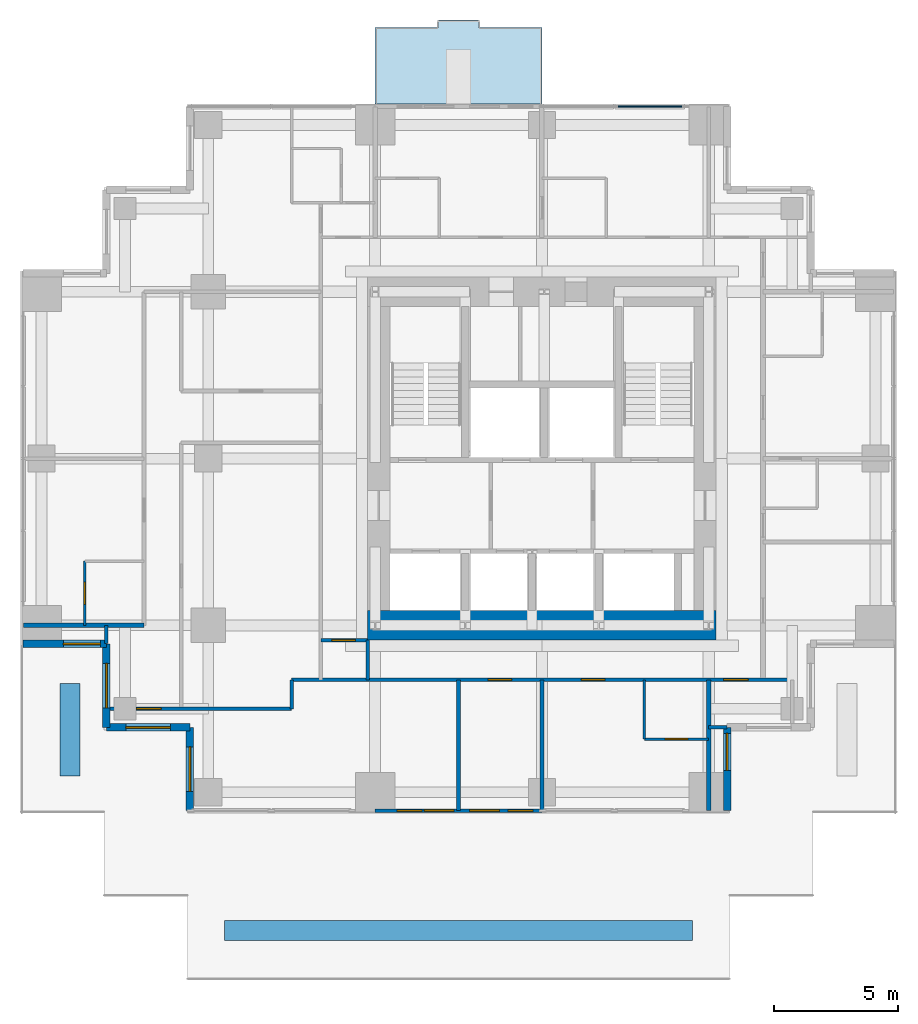
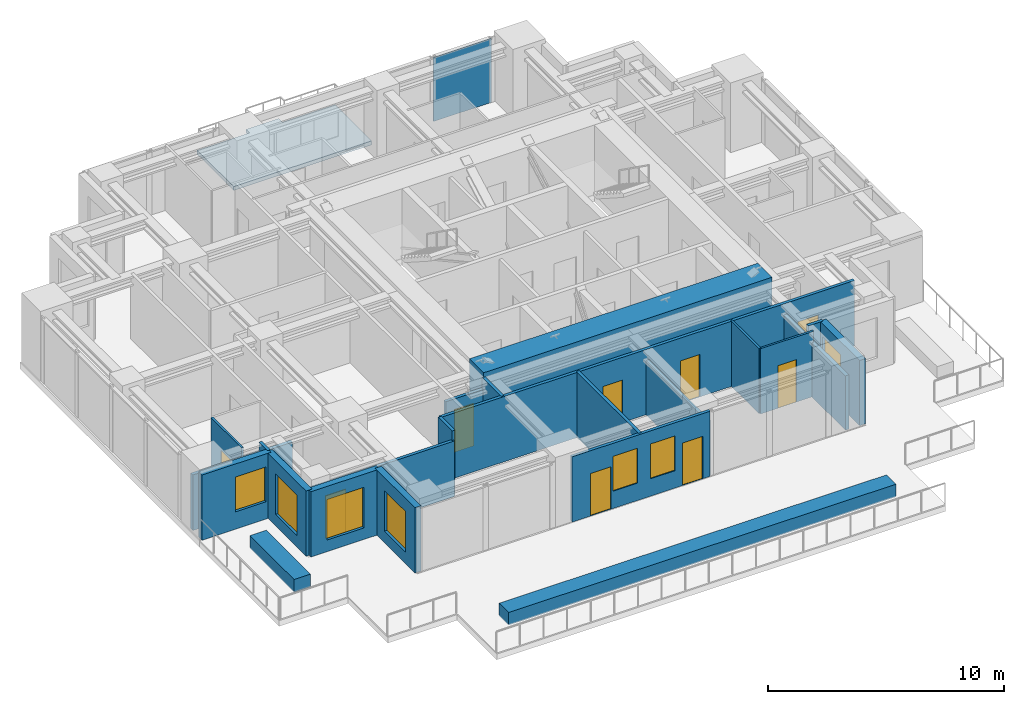
# One storey, part 3 of 7: 23 walls, 9 doors, 7 windows, 1 plate, 1 slab, 16 openings, 1 element without a shape of its own.
"""IFC4 building model written with IfcOpenShell, lengths in metres."""

from ifc_helpers import new_model, si_unit, direction, frame, frame_2d, origin, origin_2d, place, context, subcontext, project, spatial, polyline, rectangle, outline, extrude, material, layer, layer_set, type_object, element, fill, aggregate, save


model = new_model("IFC4")

# Units and contexts
model_context = context("Model", 3, precision=1e-05, world=origin(), true_north=direction((0.0, 1.0)))
body_context = subcontext(model_context, "Body", "Model", "MODEL_VIEW")
ifc_project = project(units=[si_unit("LENGTHUNIT", "METRE"), si_unit("AREAUNIT", "SQUARE_METRE"), si_unit("VOLUMEUNIT", "CUBIC_METRE"), si_unit("PLANEANGLEUNIT", "RADIAN"), si_unit("MASSUNIT", "GRAM", prefix="KILO")], contexts=[model_context])

# Site, building, storey
site_placement = place(None, origin())
site = spatial("IfcSite", under=ifc_project, at=site_placement, CompositionType="ELEMENT")
building_placement = place(site_placement, origin())
building = spatial("IfcBuilding", under=site, at=building_placement, Name="Nyansa Garden Tower", CompositionType="ELEMENT")
storey_placement = place(building_placement, frame((0.0, 0.0, 204.300048828125)))
storey = spatial("IfcBuildingStorey", under=building, at=storey_placement, Name="L55", CompositionType="ELEMENT", Elevation=204.300048828125)

# Slab
ifc_material_1 = material(Name="Concrete C40/50", Category="concrete")
ifc_layer_1 = layer(ifc_material_1, 0.199951171875)
ifc_layer_set_1 = layer_set([ifc_layer_1], Name="Balcony slab BS200")
slab_type = type_object("IfcSlabType", Name="Balcony slab BS200", PredefinedType="FLOOR", material=ifc_layer_set_1)
slab_placement = place(storey_placement, frame((0.0, 0.0, -0.239990234375)))
element("IfcSlab", 1, at=slab_placement, inside=storey, type_object=slab_type, Name="Balcony L55 N", PredefinedType="FLOOR", context=body_context, shape_type="SweptSolid", body=[
    extrude(outline(polyline([(13.5, 34.60009765625), (20.25, 34.60009765625), (20.25, 37.699951171875), (17.675048828125, 37.699951171875), (17.675048828125, 38.0), (16.074951171875, 38.0), (16.074951171875, 37.699951171875), (13.5, 37.699951171875), (13.5, 34.60009765625)])), origin(), (0.0, 0.0, 1.0), 0.199951171875),
])

# Curtain wall, plate
ifc_material_2 = material(Name="Black anodised aluminium, dark tinted double glazing", Category="aluminium")
curtain_wall_type = type_object("IfcCurtainWallType", Name="Inner skin curtain wall ISW-D", PredefinedType="USERDEFINED", material=ifc_material_2)
curtain_wall_placement = place(storey_placement, origin())
curtain_wall = element("IfcCurtainWall", 2, at=curtain_wall_placement, inside=storey, type_object=curtain_wall_type, Name="Inner skin curtain wall L55 N", ObjectType="UNITISED CURTAIN WALL", PredefinedType="USERDEFINED")
ifc_material_3 = material(Name="Dark tinted laminated double glazing", Category="glass")
ifc_layer_2 = layer(ifc_material_3, 0.0439453125)
ifc_layer_set_2 = layer_set([ifc_layer_2], Name="Dark tinted vision panel VP-D")
plate_type = type_object("IfcPlateType", Name="Dark tinted vision panel VP-D", PredefinedType="CURTAIN_PANEL", material=ifc_layer_set_2)
plate_placement = place(storey_placement, frame((24.6181640625, 34.5, 0.0), z_axis=(0.0, 0.0, 1.0), x_axis=(-1.0, 0.0, 0.0)))
plate = element("IfcPlate", 3, at=plate_placement, type_object=plate_type, Name="ISW-D panel 1", PredefinedType="CURTAIN_PANEL", context=body_context, shape_type="SweptSolid", body=[
    extrude(rectangle(XDim=2.81884765625, YDim=0.0439453125, at=origin_2d()), origin(), (0.0, 0.0, 1.0), 3.304931640625),
])
aggregate(curtain_wall, [plate])

# Walls
ifc_material_4 = material(Name="Dense blockwork, plastered both sides, 55 dB", Category="masonry")
ifc_layer_3 = layer(ifc_material_4, 0.175048828125)
ifc_layer_set_3 = layer_set([ifc_layer_3], Name="Acoustic party wall PW175")
wall_type_1 = type_object("IfcWallType", Name="Acoustic party wall PW175", PredefinedType="PARTITIONING", material=ifc_layer_set_3)
wall_1_placement = place(storey_placement, frame((-0.73388671875, 13.5, 0.0), z_axis=(0.0, 0.0, 1.0), x_axis=(1.0, 0.0, 0.0)))
element("IfcWall", 4, at=wall_1_placement, inside=storey, type_object=wall_type_1, Name="Party wall", PredefinedType="PARTITIONING", context=body_context, shape_type="SweptSolid", body=[
    extrude(rectangle(XDim=4.8837890625, YDim=0.175048828125, at=frame_2d((2.44189453125, 0.0))), origin(), (0.0, 0.0, 1.0), 2.876953125),
])
wall_2_placement = place(storey_placement, frame((27.0, 6.01611328125, 0.0), z_axis=(0.0, 0.0, 1.0), x_axis=(0.0, 1.0, 0.0)))
element("IfcWall", 5, at=wall_2_placement, inside=storey, type_object=wall_type_1, Name="Party wall", PredefinedType="PARTITIONING", context=body_context, shape_type="SweptSolid", body=[
    extrude(rectangle(XDim=5.283935546875, YDim=0.175048828125, at=frame_2d((2.64208984375, 0.0))), origin(), (0.0, 0.0, 1.0), 2.805908203125),
])

# Wall, openings, doors, windows
ifc_material_5 = material(Name="Black aluminium framed glazed screen", Category="aluminium")
ifc_layer_4 = layer(ifc_material_5, 0.14990234375)
ifc_layer_set_4 = layer_set([ifc_layer_4], Name="Balcony screen wall BW150")
wall_type_2 = type_object("IfcWallType", Name="Balcony screen wall BW150", PredefinedType="SOLIDWALL", material=ifc_layer_set_4)
wall_3_placement = place(storey_placement, frame((20.25, 6.0, 0.0), z_axis=(0.0, 0.0, 1.0), x_axis=(-1.0, 0.0, 0.0)))
wall_3 = element("IfcWall", 6, at=wall_3_placement, inside=storey, type_object=wall_type_2, Name="Glazed screen wall L55 S", PredefinedType="SOLIDWALL", context=body_context, shape_type="SweptSolid", body=[
    extrude(rectangle(XDim=6.75, YDim=0.14990234375, at=frame_2d((3.375, 0.0))), origin(), (0.0, 0.0, 1.0), 3.375),
])
opening_1_placement = place(wall_3_placement, frame((0.362548828125, 0.0, 0.0)))
opening_1 = element("IfcOpeningElement", 7, at=opening_1_placement, cuts=wall_3, Name="Opening D20", PredefinedType="OPENING", context=body_context, shape_type="SweptSolid", body=[
    extrude(rectangle(XDim=1.0, YDim=2.199951171875, at=frame_2d((0.5, 1.10009765625))), frame((0.0, 0.0849609375, 0.0), z_axis=(0.0, -1.0, 0.0), x_axis=(1.0, 0.0, 0.0)), (0.0, 0.0, 1.0), 0.169921875),
])
opening_2_placement = place(wall_3_placement, frame((1.72509765625, 0.0, 0.89990234375)))
opening_2 = element("IfcOpeningElement", 8, at=opening_2_placement, cuts=wall_3, Name="Opening W6", PredefinedType="OPENING", context=body_context, shape_type="SweptSolid", body=[
    extrude(rectangle(XDim=1.199951171875, YDim=1.800048828125, at=frame_2d((0.60009765625, 0.89990234375))), frame((0.0, 0.0849609375, 0.0), z_axis=(0.0, -1.0, 0.0), x_axis=(1.0, 0.0, 0.0)), (0.0, 0.0, 1.0), 0.169921875),
])
opening_3_placement = place(wall_3_placement, frame((4.854248046875, 0.0, 0.0)))
opening_3 = element("IfcOpeningElement", 9, at=opening_3_placement, cuts=wall_3, Name="Opening D20", PredefinedType="OPENING", context=body_context, shape_type="SweptSolid", body=[
    extrude(rectangle(XDim=1.0, YDim=2.199951171875, at=frame_2d((0.5, 1.10009765625))), frame((0.0, 0.0849609375, 0.0), z_axis=(0.0, -1.0, 0.0), x_axis=(1.0, 0.0, 0.0)), (0.0, 0.0, 1.0), 0.169921875),
])
opening_4_placement = place(wall_3_placement, frame((3.558349609375, 0.0, 0.89990234375)))
opening_4 = element("IfcOpeningElement", 10, at=opening_4_placement, cuts=wall_3, Name="Opening W6", PredefinedType="OPENING", context=body_context, shape_type="SweptSolid", body=[
    extrude(rectangle(XDim=1.199951171875, YDim=1.800048828125, at=frame_2d((0.60009765625, 0.89990234375))), frame((0.0, 0.0849609375, 0.0), z_axis=(0.0, -1.0, 0.0), x_axis=(1.0, 0.0, 0.0)), (0.0, 0.0, 1.0), 0.169921875),
])
ifc_material_6 = material(Name="Black aluminium framed glazed door", Category="aluminium")
door_type_1 = type_object("IfcDoorType", Name="Balcony door D20 1000x2200", OperationType="NOTDEFINED", PredefinedType="DOOR", material=ifc_material_6)
door_1_placement = place(opening_1_placement, origin())
door_1 = element("IfcDoor", 11, at=door_1_placement, inside=storey, type_object=door_type_1, Name="Roof maintenance door L55", OperationType="SINGLE_SWING_LEFT", OverallHeight=2.199951171875, OverallWidth=1.0, PredefinedType="DOOR", context=body_context, shape_type="SweptSolid", body=[
    extrude(rectangle(XDim=1.0, YDim=2.199951171875, at=frame_2d((0.5, 1.10009765625))), frame((0.0, 0.02490234375, 0.0), z_axis=(0.0, -1.0, 0.0), x_axis=(1.0, 0.0, 0.0)), (0.0, 0.0, 1.0), 0.050048828125),
])
fill(opening_1, door_1)
door_2_placement = place(opening_3_placement, origin())
door_2 = element("IfcDoor", 12, at=door_2_placement, inside=storey, type_object=door_type_1, Name="Roof maintenance door L55", OperationType="SINGLE_SWING_RIGHT", OverallHeight=2.199951171875, OverallWidth=1.0, PredefinedType="DOOR", context=body_context, shape_type="SweptSolid", body=[
    extrude(rectangle(XDim=1.0, YDim=2.199951171875, at=frame_2d((0.5, 1.10009765625))), frame((0.0, 0.02490234375, 0.0), z_axis=(0.0, -1.0, 0.0), x_axis=(1.0, 0.0, 0.0)), (0.0, 0.0, 1.0), 0.050048828125),
])
fill(opening_3, door_2)
ifc_material_7 = material(Name="Black aluminium frame, dark tinted double glazing", Category="aluminium")
window_type_1 = type_object("IfcWindowType", Name="Balcony window W6 1200x1800", PartitioningType="SINGLE_PANEL", PredefinedType="WINDOW", material=ifc_material_7)
window_1_placement = place(opening_2_placement, origin())
window_1 = element("IfcWindow", 13, at=window_1_placement, inside=storey, type_object=window_type_1, Name="Window L55", OverallHeight=1.800048828125, OverallWidth=1.199951171875, PartitioningType="SINGLE_PANEL", PredefinedType="WINDOW", context=body_context, shape_type="SweptSolid", body=[
    extrude(rectangle(XDim=1.199951171875, YDim=1.800048828125, at=frame_2d((0.60009765625, 0.89990234375))), frame((0.0, 0.030029296875, 0.0), z_axis=(0.0, -1.0, 0.0), x_axis=(1.0, 0.0, 0.0)), (0.0, 0.0, 1.0), 0.06005859375),
])
fill(opening_2, window_1)
window_2_placement = place(opening_4_placement, origin())
window_2 = element("IfcWindow", 14, at=window_2_placement, inside=storey, type_object=window_type_1, Name="Window L55", OverallHeight=1.800048828125, OverallWidth=1.199951171875, PartitioningType="SINGLE_PANEL", PredefinedType="WINDOW", context=body_context, shape_type="SweptSolid", body=[
    extrude(rectangle(XDim=1.199951171875, YDim=1.800048828125, at=frame_2d((0.60009765625, 0.89990234375))), frame((0.0, 0.030029296875, 0.0), z_axis=(0.0, -1.0, 0.0), x_axis=(1.0, 0.0, 0.0)), (0.0, 0.0, 1.0), 0.06005859375),
])
fill(opening_4, window_2)

# Walls
ifc_material_8 = material(Name="Concrete C80/95", Category="concrete")
ifc_layer_5 = layer(ifc_material_8, 1.199951171875)
ifc_layer_set_5 = layer_set([ifc_layer_5], Name="Core wall CW1200")
wall_type_3 = type_object("IfcWallType", Name="Core wall CW1200", PredefinedType="SHEAR", material=ifc_layer_set_5)
wall_4_placement = place(storey_placement, frame((13.199951171875, 13.5, 0.0), z_axis=(0.0, 0.0, 1.0), x_axis=(1.0, 0.0, 0.0)))
element("IfcWall", 15, at=wall_4_placement, inside=storey, type_object=wall_type_3, Name="Core wall S L55", PredefinedType="SHEAR", context=body_context, shape_type="SweptSolid", body=[
    extrude(rectangle(XDim=14.10009765625, YDim=1.199951171875, at=frame_2d((7.050048828125, 0.0))), origin(), (0.0, 0.0, 1.0), 3.599853515625),
])
ifc_material_9 = material(Name="Blockwork, plastered both sides", Category="masonry")
ifc_layer_6 = layer(ifc_material_9, 0.14990234375)
ifc_layer_set_6 = layer_set([ifc_layer_6], Name="Partition PW150")
wall_type_4 = type_object("IfcWallType", Name="Partition PW150", PredefinedType="PARTITIONING", material=ifc_layer_set_6)
wall_5_placement = place(storey_placement, frame((2.625, 12.76611328125, 0.0), z_axis=(0.0, 0.0, 1.0), x_axis=(0.0, 1.0, 0.0)))
element("IfcWall", 16, at=wall_5_placement, inside=storey, type_object=wall_type_4, Name="Partition", PredefinedType="PARTITIONING", context=body_context, shape_type="SweptSolid", body=[
    extrude(rectangle(XDim=0.73388671875, YDim=0.14990234375, at=frame_2d((0.366943359375, 0.0))), origin(), (0.0, 0.0, 1.0), 3.375),
])

# Wall, opening, door
wall_6_placement = place(storey_placement, frame((2.77490234375, 10.125, 0.0), z_axis=(0.0, 0.0, 1.0), x_axis=(1.0, 0.0, 0.0)))
wall_6 = element("IfcWall", 17, at=wall_6_placement, inside=storey, type_object=wall_type_4, Name="Partition", PredefinedType="PARTITIONING", context=body_context, shape_type="SweptSolid", body=[
    extrude(rectangle(XDim=7.35009765625, YDim=0.14990234375, at=frame_2d((3.675048828125, 0.0))), origin(), (0.0, 0.0, 1.0), 2.876953125),
])
opening_5_placement = place(wall_6_placement, frame((1.06591796875, 0.0, 0.0)))
opening_5 = element("IfcOpeningElement", 18, at=opening_5_placement, cuts=wall_6, Name="Opening D03", PredefinedType="OPENING", context=body_context, shape_type="SweptSolid", body=[
    extrude(rectangle(XDim=1.0, YDim=2.199951171875, at=frame_2d((0.5, 1.10009765625))), frame((0.0, 0.0849609375, 0.0), z_axis=(0.0, -1.0, 0.0), x_axis=(1.0, 0.0, 0.0)), (0.0, 0.0, 1.0), 0.169921875),
])
ifc_material_10 = material(Name="Timber flush door, 60 minute fire resisting", Category="wood")
door_type_2 = type_object("IfcDoorType", Name="Cluster entrance door D03 1000x2200", OperationType="SINGLE_SWING_LEFT", PredefinedType="DOOR", material=ifc_material_10)
door_3_placement = place(opening_5_placement, origin())
door_3 = element("IfcDoor", 19, at=door_3_placement, inside=storey, type_object=door_type_2, Name="Door L55-017", OperationType="SINGLE_SWING_LEFT", OverallHeight=2.199951171875, OverallWidth=1.0, PredefinedType="DOOR", context=body_context, shape_type="SweptSolid", body=[
    extrude(rectangle(XDim=1.0, YDim=2.199951171875, at=frame_2d((0.5, 1.10009765625))), frame((0.0, 0.02490234375, 0.0), z_axis=(0.0, -1.0, 0.0), x_axis=(1.0, 0.0, 0.0)), (0.0, 0.0, 1.0), 0.050048828125),
])
fill(opening_5, door_3)

# Wall
wall_7_placement = place(storey_placement, frame((10.125, 10.125, 0.0), z_axis=(0.0, 0.0, 1.0), x_axis=(0.0, 1.0, 0.0)))
element("IfcWall", 20, at=wall_7_placement, inside=storey, type_object=wall_type_4, Name="Partition", PredefinedType="PARTITIONING", context=body_context, shape_type="SweptSolid", body=[
    extrude(rectangle(XDim=1.175048828125, YDim=0.14990234375, at=frame_2d((0.58740234375, 0.0))), origin(), (0.0, 0.0, 1.0), 3.375),
])

# Wall, openings, doors
wall_8_placement = place(storey_placement, frame((10.125, 11.300048828125, 0.0), z_axis=(0.0, 0.0, 1.0), x_axis=(1.0, 0.0, 0.0)))
wall_8 = element("IfcWall", 21, at=wall_8_placement, inside=storey, type_object=wall_type_4, Name="Partition", PredefinedType="PARTITIONING", context=body_context, shape_type="SweptSolid", body=[
    extrude(rectangle(XDim=20.25, YDim=0.14990234375, at=frame_2d((10.125, 0.0))), origin(), (0.0, 0.0, 1.0), 3.375),
])
opening_6_placement = place(wall_8_placement, frame((11.72509765625, 0.0, 0.0)))
opening_6 = element("IfcOpeningElement", 22, at=opening_6_placement, cuts=wall_8, Name="Opening D14", PredefinedType="OPENING", context=body_context, shape_type="SweptSolid", body=[
    extrude(rectangle(XDim=0.949951171875, YDim=2.199951171875, at=frame_2d((0.47509765625, 1.10009765625))), frame((0.0, 0.0849609375, 0.0), z_axis=(0.0, -1.0, 0.0), x_axis=(1.0, 0.0, 0.0)), (0.0, 0.0, 1.0), 0.169921875),
])
opening_7_placement = place(wall_8_placement, frame((17.47509765625, 0.0, 0.0)))
opening_7 = element("IfcOpeningElement", 23, at=opening_7_placement, cuts=wall_8, Name="Opening D03", PredefinedType="OPENING", context=body_context, shape_type="SweptSolid", body=[
    extrude(rectangle(XDim=1.0, YDim=2.199951171875, at=frame_2d((0.5, 1.10009765625))), frame((0.0, 0.0849609375, 0.0), z_axis=(0.0, -1.0, 0.0), x_axis=(1.0, 0.0, 0.0)), (0.0, 0.0, 1.0), 0.169921875),
])
opening_8_placement = place(wall_8_placement, frame((7.949951171875, 0.0, 0.0)))
opening_8 = element("IfcOpeningElement", 24, at=opening_8_placement, cuts=wall_8, Name="Opening D01", PredefinedType="OPENING", context=body_context, shape_type="SweptSolid", body=[
    extrude(rectangle(XDim=0.949951171875, YDim=2.199951171875, at=frame_2d((0.47509765625, 1.10009765625))), frame((0.0, 0.0849609375, 0.0), z_axis=(0.0, -1.0, 0.0), x_axis=(1.0, 0.0, 0.0)), (0.0, 0.0, 1.0), 0.169921875),
])
ifc_material_11 = material(Name="Timber flush door, 30 minute fire resisting", Category="wood")
door_type_3 = type_object("IfcDoorType", Name="Bedroom door D01 950x2200", OperationType="SINGLE_SWING_LEFT", PredefinedType="DOOR", material=ifc_material_11)
door_4_placement = place(opening_8_placement, origin())
door_4 = element("IfcDoor", 25, at=door_4_placement, inside=storey, type_object=door_type_3, Name="Door L55-043", OperationType="SINGLE_SWING_LEFT", OverallHeight=2.199951171875, OverallWidth=0.949951171875, PredefinedType="DOOR", context=body_context, shape_type="SweptSolid", body=[
    extrude(rectangle(XDim=0.949951171875, YDim=2.199951171875, at=frame_2d((0.47509765625, 1.10009765625))), frame((0.0, 0.02490234375, 0.0), z_axis=(0.0, -1.0, 0.0), x_axis=(1.0, 0.0, 0.0)), (0.0, 0.0, 1.0), 0.050048828125),
])
fill(opening_8, door_4)
door_5_placement = place(opening_7_placement, origin())
door_5 = element("IfcDoor", 26, at=door_5_placement, inside=storey, type_object=door_type_2, Name="Door L55-022", OperationType="SINGLE_SWING_LEFT", OverallHeight=2.199951171875, OverallWidth=1.0, PredefinedType="DOOR", context=body_context, shape_type="SweptSolid", body=[
    extrude(rectangle(XDim=1.0, YDim=2.199951171875, at=frame_2d((0.5, 1.10009765625))), frame((0.0, 0.02490234375, 0.0), z_axis=(0.0, -1.0, 0.0), x_axis=(1.0, 0.0, 0.0)), (0.0, 0.0, 1.0), 0.050048828125),
])
fill(opening_7, door_5)
ifc_material_12 = material(Name="Timber flush door, 60 minute fire resisting, self-closing", Category="wood")
door_type_4 = type_object("IfcDoorType", Name="Studio entrance door D14 950x2200", OperationType="SINGLE_SWING_LEFT", PredefinedType="DOOR", material=ifc_material_12)
door_6_placement = place(opening_6_placement, origin())
door_6 = element("IfcDoor", 27, at=door_6_placement, inside=storey, type_object=door_type_4, Name="Door L55-018", OperationType="SINGLE_SWING_LEFT", OverallHeight=2.199951171875, OverallWidth=0.949951171875, PredefinedType="DOOR", context=body_context, shape_type="SweptSolid", body=[
    extrude(rectangle(XDim=0.949951171875, YDim=2.199951171875, at=frame_2d((0.47509765625, 1.10009765625))), frame((0.0, 0.02490234375, 0.0), z_axis=(0.0, -1.0, 0.0), x_axis=(1.0, 0.0, 0.0)), (0.0, 0.0, 1.0), 0.050048828125),
])
fill(opening_6, door_6)

# Wall, opening, door
wall_9_placement = place(storey_placement, frame((11.300048828125, 12.89990234375, 0.0), z_axis=(0.0, 0.0, 1.0), x_axis=(1.0, 0.0, 0.0)))
wall_9 = element("IfcWall", 28, at=wall_9_placement, inside=storey, type_object=wall_type_4, Name="Partition", PredefinedType="PARTITIONING", context=body_context, shape_type="SweptSolid", body=[
    extrude(rectangle(XDim=1.89990234375, YDim=0.14990234375, at=frame_2d((0.949951171875, 0.0))), origin(), (0.0, 0.0, 1.0), 2.805908203125),
])
opening_9_placement = place(wall_9_placement, frame((0.449951171875, 0.0, 0.0)))
opening_9 = element("IfcOpeningElement", 29, at=opening_9_placement, cuts=wall_9, Name="Opening D01", PredefinedType="OPENING", context=body_context, shape_type="SweptSolid", body=[
    extrude(rectangle(XDim=0.949951171875, YDim=2.199951171875, at=frame_2d((0.47509765625, 1.10009765625))), frame((0.0, 0.0849609375, 0.0), z_axis=(0.0, -1.0, 0.0), x_axis=(1.0, 0.0, 0.0)), (0.0, 0.0, 1.0), 0.169921875),
])
door_7_placement = place(opening_9_placement, origin())
door_7 = element("IfcDoor", 30, at=door_7_placement, inside=storey, type_object=door_type_3, Name="Door L55-016", OperationType="SINGLE_SWING_LEFT", OverallHeight=2.199951171875, OverallWidth=0.949951171875, PredefinedType="DOOR", context=body_context, shape_type="SweptSolid", body=[
    extrude(rectangle(XDim=0.949951171875, YDim=2.199951171875, at=frame_2d((0.47509765625, 1.10009765625))), frame((0.0, 0.02490234375, 0.0), z_axis=(0.0, -1.0, 0.0), x_axis=(1.0, 0.0, 0.0)), (0.0, 0.0, 1.0), 0.050048828125),
])
fill(opening_9, door_7)

# Walls
wall_10_placement = place(storey_placement, frame((13.199951171875, 11.300048828125, 0.0), z_axis=(0.0, 0.0, 1.0), x_axis=(0.0, 1.0, 0.0)))
element("IfcWall", 31, at=wall_10_placement, inside=storey, type_object=wall_type_4, Name="Partition", PredefinedType="PARTITIONING", context=body_context, shape_type="SweptSolid", body=[
    extrude(rectangle(XDim=1.599853515625, YDim=0.14990234375, at=frame_2d((0.7998046875, 0.0))), origin(), (0.0, 0.0, 1.0), 3.375),
])
wall_11_placement = place(storey_placement, frame((16.875, 6.01611328125, 0.0), z_axis=(0.0, 0.0, 1.0), x_axis=(0.0, 1.0, 0.0)))
element("IfcWall", 32, at=wall_11_placement, inside=storey, type_object=wall_type_4, Name="Partition", PredefinedType="PARTITIONING", context=body_context, shape_type="SweptSolid", body=[
    extrude(rectangle(XDim=5.283935546875, YDim=0.14990234375, at=frame_2d((2.64208984375, 0.0))), origin(), (0.0, 0.0, 1.0), 3.375),
])
wall_12_placement = place(storey_placement, frame((20.25, 6.01611328125, 0.0), z_axis=(0.0, 0.0, 1.0), x_axis=(0.0, 1.0, 0.0)))
element("IfcWall", 33, at=wall_12_placement, inside=storey, type_object=wall_type_4, Name="Partition", PredefinedType="PARTITIONING", context=body_context, shape_type="SweptSolid", body=[
    extrude(rectangle(XDim=5.283935546875, YDim=0.14990234375, at=frame_2d((2.64208984375, 0.0))), origin(), (0.0, 0.0, 1.0), 2.805908203125),
])
wall_13_placement = place(storey_placement, frame((27.0, 9.375, 0.0), z_axis=(0.0, 0.0, 1.0), x_axis=(1.0, 0.0, 0.0)))
element("IfcWall", 34, at=wall_13_placement, inside=storey, type_object=wall_type_4, Name="Partition", PredefinedType="PARTITIONING", context=body_context, shape_type="SweptSolid", body=[
    extrude(rectangle(XDim=0.73388671875, YDim=0.14990234375, at=frame_2d((0.366943359375, 0.0))), origin(), (0.0, 0.0, 1.0), 3.375),
])
ifc_material_13 = material(Name="Concrete C40/50 planter, waterproofed", Category="concrete")
ifc_layer_7 = layer(ifc_material_13, 0.800048828125)
ifc_layer_set_7 = layer_set([ifc_layer_7], Name="Terrace planter TP2")
wall_type_5 = type_object("IfcWallType", Name="Terrace planter TP2", PredefinedType="USERDEFINED", material=ifc_layer_set_7)
wall_14_placement = place(storey_placement, frame((26.35009765625, 1.14990234375, -0.06005859375), z_axis=(0.0, 0.0, 1.0), x_axis=(-1.0, 0.0, 0.0)))
element("IfcWall", 35, at=wall_14_placement, inside=storey, type_object=wall_type_5, Name="Terrace planter L55", ObjectType="TERRACE PLANTER", PredefinedType="USERDEFINED", context=body_context, shape_type="SweptSolid", body=[
    extrude(rectangle(XDim=18.9501953125, YDim=0.800048828125, at=frame_2d((9.47509765625, 0.0))), origin(), (0.0, 0.0, 1.0), 0.659912109375),
])
wall_15_placement = place(storey_placement, frame((1.14990234375, 7.39990234375, -0.06005859375), z_axis=(0.0, 0.0, 1.0), x_axis=(0.0, 1.0, 0.0)))
element("IfcWall", 36, at=wall_15_placement, inside=storey, type_object=wall_type_5, Name="Terrace planter L55", ObjectType="TERRACE PLANTER", PredefinedType="USERDEFINED", context=body_context, shape_type="SweptSolid", body=[
    extrude(rectangle(XDim=3.75, YDim=0.800048828125, at=frame_2d((1.875, 0.0))), origin(), (0.0, 0.0, 1.0), 0.659912109375),
])

# Wall, opening, window
ifc_material_14 = material(Name="Turquoise glazed tile on concrete blockwork", Category="masonry")
ifc_layer_8 = layer(ifc_material_14, 0.300048828125)
ifc_layer_set_8 = layer_set([ifc_layer_8], Name="Tiled corner wall TW300")
wall_type_6 = type_object("IfcWallType", Name="Tiled corner wall TW300", PredefinedType="SOLIDWALL", material=ifc_layer_set_8)
wall_16_placement = place(storey_placement, frame((-0.75, 12.75, 0.0), z_axis=(0.0, 0.0, 1.0), x_axis=(1.0, 0.0, 0.0)))
wall_16 = element("IfcWall", 37, at=wall_16_placement, inside=storey, type_object=wall_type_6, Name="Tiled corner wall L55", PredefinedType="SOLIDWALL", context=body_context, shape_type="SweptSolid", body=[
    extrude(rectangle(XDim=3.375, YDim=0.300048828125, at=frame_2d((1.6875, 0.0))), origin(), (0.0, 0.0, 1.0), 3.375),
])
opening_10_placement = place(wall_16_placement, frame((1.632568359375, 0.0, 0.89990234375)))
opening_10 = element("IfcOpeningElement", 38, at=opening_10_placement, cuts=wall_16, Name="Opening W1", PredefinedType="OPENING", context=body_context, shape_type="SweptSolid", body=[
    extrude(rectangle(XDim=1.5, YDim=1.800048828125, at=frame_2d((0.75, 0.89990234375))), frame((0.0, 0.159912109375, 0.0), z_axis=(0.0, -1.0, 0.0), x_axis=(1.0, 0.0, 0.0)), (0.0, 0.0, 1.0), 0.320068359375),
])
ifc_material_15 = material(Name="Black aluminium frame, dark tinted double glazing", Category="aluminium")
window_type_2 = type_object("IfcWindowType", Name="Window W1 1500x1800", PartitioningType="SINGLE_PANEL", PredefinedType="WINDOW", material=ifc_material_15)
window_3_placement = place(opening_10_placement, origin())
window_3 = element("IfcWindow", 39, at=window_3_placement, inside=storey, type_object=window_type_2, Name="Corner window L55", OverallHeight=1.800048828125, OverallWidth=1.5, PartitioningType="SINGLE_PANEL", PredefinedType="WINDOW", context=body_context, shape_type="SweptSolid", body=[
    extrude(rectangle(XDim=1.5, YDim=1.800048828125, at=frame_2d((0.75, 0.89990234375))), frame((0.0, 0.030029296875, 0.0), z_axis=(0.0, -1.0, 0.0), x_axis=(1.0, 0.0, 0.0)), (0.0, 0.0, 1.0), 0.06005859375),
])
fill(opening_10, window_3)

wall_17_placement = place(storey_placement, frame((2.625, 12.75, 0.0), z_axis=(0.0, 0.0, 1.0), x_axis=(0.0, -1.0, 0.0)))
wall_17 = element("IfcWall", 40, at=wall_17_placement, inside=storey, type_object=wall_type_6, Name="Tiled corner wall L55", PredefinedType="SOLIDWALL", context=body_context, shape_type="SweptSolid", body=[
    extrude(rectangle(XDim=3.375, YDim=0.300048828125, at=frame_2d((1.6875, 0.0))), origin(), (0.0, 0.0, 1.0), 3.375),
])
opening_11_placement = place(wall_17_placement, frame((0.78759765625, 0.0, 0.60009765625)))
opening_11 = element("IfcOpeningElement", 41, at=opening_11_placement, cuts=wall_17, Name="Opening W2", PredefinedType="OPENING", context=body_context, shape_type="SweptSolid", body=[
    extrude(rectangle(XDim=1.800048828125, YDim=2.10009765625, at=frame_2d((0.89990234375, 1.050048828125))), frame((0.0, 0.159912109375, 0.0), z_axis=(0.0, -1.0, 0.0), x_axis=(1.0, 0.0, 0.0)), (0.0, 0.0, 1.0), 0.320068359375),
])
ifc_material_16 = material(Name="Black aluminium frame, dark tinted double glazing", Category="aluminium")
window_type_3 = type_object("IfcWindowType", Name="Window W2 1800x2100", PartitioningType="SINGLE_PANEL", PredefinedType="WINDOW", material=ifc_material_16)
window_4_placement = place(opening_11_placement, origin())
window_4 = element("IfcWindow", 42, at=window_4_placement, inside=storey, type_object=window_type_3, Name="Corner window L55", OverallHeight=2.10009765625, OverallWidth=1.800048828125, PartitioningType="SINGLE_PANEL", PredefinedType="WINDOW", context=body_context, shape_type="SweptSolid", body=[
    extrude(rectangle(XDim=1.800048828125, YDim=2.10009765625, at=frame_2d((0.89990234375, 1.050048828125))), frame((0.0, 0.030029296875, 0.0), z_axis=(0.0, -1.0, 0.0), x_axis=(1.0, 0.0, 0.0)), (0.0, 0.0, 1.0), 0.06005859375),
])
fill(opening_11, window_4)

wall_18_placement = place(storey_placement, frame((2.625, 9.375, 0.0), z_axis=(0.0, 0.0, 1.0), x_axis=(1.0, 0.0, 0.0)))
wall_18 = element("IfcWall", 43, at=wall_18_placement, inside=storey, type_object=wall_type_6, Name="Tiled corner wall L55", PredefinedType="SOLIDWALL", context=body_context, shape_type="SweptSolid", body=[
    extrude(rectangle(XDim=3.375, YDim=0.300048828125, at=frame_2d((1.6875, 0.0))), origin(), (0.0, 0.0, 1.0), 3.375),
])
opening_12_placement = place(wall_18_placement, frame((0.78759765625, 0.0, 0.60009765625)))
opening_12 = element("IfcOpeningElement", 44, at=opening_12_placement, cuts=wall_18, Name="Opening W2", PredefinedType="OPENING", context=body_context, shape_type="SweptSolid", body=[
    extrude(rectangle(XDim=1.800048828125, YDim=2.10009765625, at=frame_2d((0.89990234375, 1.050048828125))), frame((0.0, 0.159912109375, 0.0), z_axis=(0.0, -1.0, 0.0), x_axis=(1.0, 0.0, 0.0)), (0.0, 0.0, 1.0), 0.320068359375),
])
window_5_placement = place(opening_12_placement, origin())
window_5 = element("IfcWindow", 45, at=window_5_placement, inside=storey, type_object=window_type_3, Name="Corner window L55", OverallHeight=2.10009765625, OverallWidth=1.800048828125, PartitioningType="SINGLE_PANEL", PredefinedType="WINDOW", context=body_context, shape_type="SweptSolid", body=[
    extrude(rectangle(XDim=1.800048828125, YDim=2.10009765625, at=frame_2d((0.89990234375, 1.050048828125))), frame((0.0, 0.030029296875, 0.0), z_axis=(0.0, -1.0, 0.0), x_axis=(1.0, 0.0, 0.0)), (0.0, 0.0, 1.0), 0.06005859375),
])
fill(opening_12, window_5)

wall_19_placement = place(storey_placement, frame((6.0, 9.375, 0.0), z_axis=(0.0, 0.0, 1.0), x_axis=(0.0, -1.0, 0.0)))
wall_19 = element("IfcWall", 46, at=wall_19_placement, inside=storey, type_object=wall_type_6, Name="Tiled corner wall L55", PredefinedType="SOLIDWALL", context=body_context, shape_type="SweptSolid", body=[
    extrude(rectangle(XDim=3.375, YDim=0.300048828125, at=frame_2d((1.6875, 0.0))), origin(), (0.0, 0.0, 1.0), 3.375),
])
opening_13_placement = place(wall_19_placement, frame((0.78759765625, 0.0, 0.60009765625)))
opening_13 = element("IfcOpeningElement", 47, at=opening_13_placement, cuts=wall_19, Name="Opening W2", PredefinedType="OPENING", context=body_context, shape_type="SweptSolid", body=[
    extrude(rectangle(XDim=1.800048828125, YDim=2.10009765625, at=frame_2d((0.89990234375, 1.050048828125))), frame((0.0, 0.159912109375, 0.0), z_axis=(0.0, -1.0, 0.0), x_axis=(1.0, 0.0, 0.0)), (0.0, 0.0, 1.0), 0.320068359375),
])
window_6_placement = place(opening_13_placement, origin())
window_6 = element("IfcWindow", 48, at=window_6_placement, inside=storey, type_object=window_type_3, Name="Corner window L55", OverallHeight=2.10009765625, OverallWidth=1.800048828125, PartitioningType="SINGLE_PANEL", PredefinedType="WINDOW", context=body_context, shape_type="SweptSolid", body=[
    extrude(rectangle(XDim=1.800048828125, YDim=2.10009765625, at=frame_2d((0.89990234375, 1.050048828125))), frame((0.0, 0.030029296875, 0.0), z_axis=(0.0, -1.0, 0.0), x_axis=(1.0, 0.0, 0.0)), (0.0, 0.0, 1.0), 0.06005859375),
])
fill(opening_13, window_6)

wall_20_placement = place(storey_placement, frame((27.75, 6.0, 0.0), z_axis=(0.0, 0.0, 1.0), x_axis=(0.0, 1.0, 0.0)))
wall_20 = element("IfcWall", 49, at=wall_20_placement, inside=storey, type_object=wall_type_6, Name="Tiled corner wall L55", PredefinedType="SOLIDWALL", context=body_context, shape_type="SweptSolid", body=[
    extrude(rectangle(XDim=3.375, YDim=0.300048828125, at=frame_2d((1.6875, 0.0))), origin(), (0.0, 0.0, 1.0), 3.375),
])
opening_14_placement = place(wall_20_placement, frame((1.632568359375, 0.0, 0.89990234375)))
opening_14 = element("IfcOpeningElement", 50, at=opening_14_placement, cuts=wall_20, Name="Opening W1", PredefinedType="OPENING", context=body_context, shape_type="SweptSolid", body=[
    extrude(rectangle(XDim=1.5, YDim=1.800048828125, at=frame_2d((0.75, 0.89990234375))), frame((0.0, 0.159912109375, 0.0), z_axis=(0.0, -1.0, 0.0), x_axis=(1.0, 0.0, 0.0)), (0.0, 0.0, 1.0), 0.320068359375),
])
window_7_placement = place(opening_14_placement, origin())
window_7 = element("IfcWindow", 51, at=window_7_placement, inside=storey, type_object=window_type_2, Name="Corner window L55", OverallHeight=1.800048828125, OverallWidth=1.5, PartitioningType="SINGLE_PANEL", PredefinedType="WINDOW", context=body_context, shape_type="SweptSolid", body=[
    extrude(rectangle(XDim=1.5, YDim=1.800048828125, at=frame_2d((0.75, 0.89990234375))), frame((0.0, 0.030029296875, 0.0), z_axis=(0.0, -1.0, 0.0), x_axis=(1.0, 0.0, 0.0)), (0.0, 0.0, 1.0), 0.06005859375),
])
fill(opening_14, window_7)

# Wall, opening, door
ifc_material_17 = material(Name="Moisture resistant board on steel studs, tiled", Category="steel")
ifc_layer_9 = layer(ifc_material_17, 0.10009765625)
ifc_layer_set_9 = layer_set([ifc_layer_9], Name="Wet wall PW100")
wall_type_7 = type_object("IfcWallType", Name="Wet wall PW100", PredefinedType="PARTITIONING", material=ifc_layer_set_9)
wall_21_placement = place(storey_placement, frame((1.75, 13.5, 0.0), z_axis=(0.0, 0.0, 1.0), x_axis=(0.0, 1.0, 0.0)))
wall_21 = element("IfcWall", 52, at=wall_21_placement, inside=storey, type_object=wall_type_7, Name="Wet wall", PredefinedType="PARTITIONING", context=body_context, shape_type="SweptSolid", body=[
    extrude(rectangle(XDim=2.60009765625, YDim=0.10009765625, at=frame_2d((1.300048828125, 0.0))), origin(), (0.0, 0.0, 1.0), 3.375),
])
opening_15_placement = place(wall_21_placement, frame((0.85009765625, 0.0, 0.0)))
opening_15 = element("IfcOpeningElement", 53, at=opening_15_placement, cuts=wall_21, Name="Opening D02", PredefinedType="OPENING", context=body_context, shape_type="SweptSolid", body=[
    extrude(rectangle(XDim=0.89990234375, YDim=2.199951171875, at=frame_2d((0.449951171875, 1.10009765625))), frame((0.0, 0.06005859375, 0.0), z_axis=(0.0, -1.0, 0.0), x_axis=(1.0, 0.0, 0.0)), (0.0, 0.0, 1.0), 0.1201171875),
])
ifc_material_18 = material(Name="Timber flush door", Category="wood")
door_type_5 = type_object("IfcDoorType", Name="En-suite door D02 900x2200", OperationType="SINGLE_SWING_RIGHT", PredefinedType="DOOR", material=ifc_material_18)
door_8_placement = place(opening_15_placement, origin())
door_8 = element("IfcDoor", 54, at=door_8_placement, inside=storey, type_object=door_type_5, Name="Door L55-039", OperationType="SINGLE_SWING_RIGHT", OverallHeight=2.199951171875, OverallWidth=0.89990234375, PredefinedType="DOOR", context=body_context, shape_type="SweptSolid", body=[
    extrude(rectangle(XDim=0.89990234375, YDim=2.199951171875, at=frame_2d((0.449951171875, 1.10009765625))), frame((0.0, 0.02490234375, 0.0), z_axis=(0.0, -1.0, 0.0), x_axis=(1.0, 0.0, 0.0)), (0.0, 0.0, 1.0), 0.050048828125),
])
fill(opening_15, door_8)

# Wall
wall_22_placement = place(storey_placement, frame((24.39990234375, 8.89990234375, 0.0), z_axis=(0.0, 0.0, 1.0), x_axis=(0.0, 1.0, 0.0)))
element("IfcWall", 55, at=wall_22_placement, inside=storey, type_object=wall_type_7, Name="Wet wall", PredefinedType="PARTITIONING", context=body_context, shape_type="SweptSolid", body=[
    extrude(rectangle(XDim=2.400146484375, YDim=0.10009765625, at=frame_2d((1.2001953125, 0.0))), origin(), (0.0, 0.0, 1.0), 3.375),
])

# Wall, opening, door
wall_23_placement = place(storey_placement, frame((24.39990234375, 8.89990234375, 0.0), z_axis=(0.0, 0.0, 1.0), x_axis=(1.0, 0.0, 0.0)))
wall_23 = element("IfcWall", 56, at=wall_23_placement, inside=storey, type_object=wall_type_7, Name="Wet wall", PredefinedType="PARTITIONING", context=body_context, shape_type="SweptSolid", body=[
    extrude(rectangle(XDim=2.60009765625, YDim=0.10009765625, at=frame_2d((1.300048828125, 0.0))), origin(), (0.0, 0.0, 1.0), 3.375),
])
opening_16_placement = place(wall_23_placement, frame((0.85009765625, 0.0, 0.0)))
opening_16 = element("IfcOpeningElement", 57, at=opening_16_placement, cuts=wall_23, Name="Opening D02", PredefinedType="OPENING", context=body_context, shape_type="SweptSolid", body=[
    extrude(rectangle(XDim=0.89990234375, YDim=2.199951171875, at=frame_2d((0.449951171875, 1.10009765625))), frame((0.0, 0.06005859375, 0.0), z_axis=(0.0, -1.0, 0.0), x_axis=(1.0, 0.0, 0.0)), (0.0, 0.0, 1.0), 0.1201171875),
])
door_9_placement = place(opening_16_placement, origin())
door_9 = element("IfcDoor", 58, at=door_9_placement, inside=storey, type_object=door_type_5, Name="Door L55-019", OperationType="SINGLE_SWING_RIGHT", OverallHeight=2.199951171875, OverallWidth=0.89990234375, PredefinedType="DOOR", context=body_context, shape_type="SweptSolid", body=[
    extrude(rectangle(XDim=0.89990234375, YDim=2.199951171875, at=frame_2d((0.449951171875, 1.10009765625))), frame((0.0, 0.02490234375, 0.0), z_axis=(0.0, -1.0, 0.0), x_axis=(1.0, 0.0, 0.0)), (0.0, 0.0, 1.0), 0.050048828125),
])
fill(opening_16, door_9)

save(model, "model.ifc")
